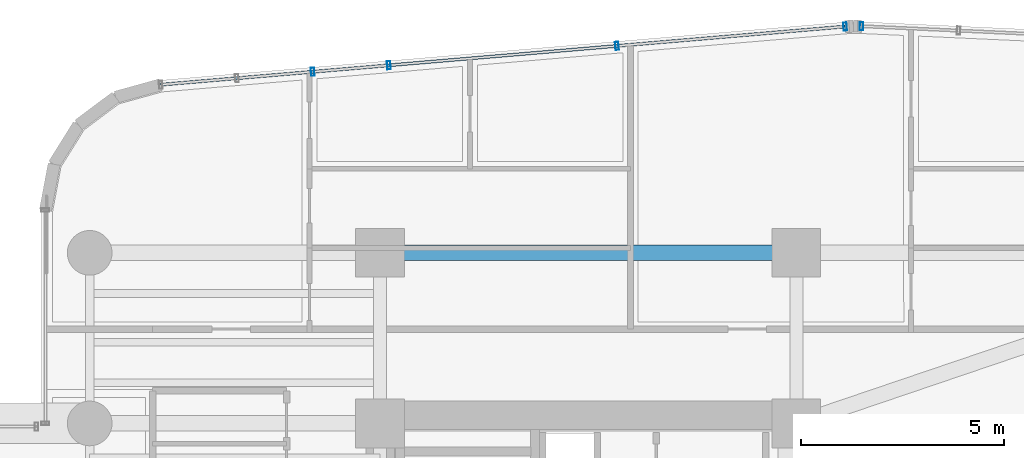
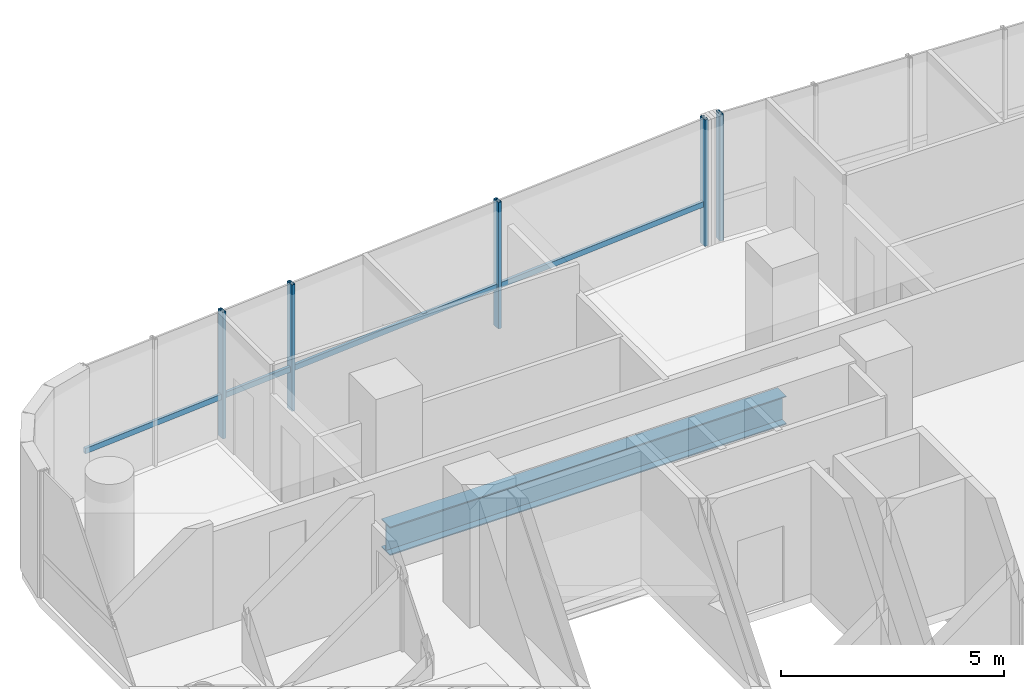
# One storey, part 19 of 35: 6 members, 1 beam, 2 elements without a shape of their own.
"""IFC4 building model written with IfcOpenShell, lengths in metres."""

from ifc_helpers import new_model, si_unit, direction, frame, origin, origin_2d, place, context, subcontext, project, spatial, hollow_rectangle, i_section, extrude, source, transform, mapped, material, material_profile, profile_set, type_object, element, aggregate, save


model = new_model("IFC4")

# Units and contexts
model_context = context("Model", 3, precision=1e-05, world=origin(), true_north=direction((0.0, 1.0)))
body_context = subcontext(model_context, "Body", "Model", "MODEL_VIEW")
ifc_project = project(units=[si_unit("LENGTHUNIT", "METRE"), si_unit("AREAUNIT", "SQUARE_METRE"), si_unit("VOLUMEUNIT", "CUBIC_METRE"), si_unit("PLANEANGLEUNIT", "RADIAN"), si_unit("MASSUNIT", "GRAM", prefix="KILO")], contexts=[model_context])

# Site, building, storey
site_placement = place(None, origin())
site = spatial("IfcSite", under=ifc_project, at=site_placement, CompositionType="ELEMENT")
building_placement = place(site_placement, origin())
building = spatial("IfcBuilding", under=site, at=building_placement, Name="Valdorenza Pilgrim Sanctuary Tower", CompositionType="ELEMENT")
storey_placement = place(building_placement, frame((0.0, 0.0, 105.699951171875)))
storey = spatial("IfcBuildingStorey", under=building, at=storey_placement, Name="L26", CompositionType="ELEMENT", Elevation=105.699951171875)

# Beam
ifc_material_1 = material(Name="Steel ASTM A992 Grade 50", Category="steel")
ifc_material_profile_1 = material_profile(ifc_material_1, i_section(OverallWidth=0.382080078125, OverallDepth=0.779052734375, WebThickness=0.01806640625, FlangeThickness=0.030029296875, at=origin_2d()), Name="W30X191")
ifc_profile_set_1 = profile_set([ifc_material_profile_1], Name="Steel ASTM A992 Grade 50")
beam_type = type_object("IfcBeamType", Name="STR-BM-GRD-W30", PredefinedType="BEAM", material=ifc_profile_set_1)
shared_shape_1 = source(origin(), body_context, "Body", "SweptSolid", [
    extrude(i_section(OverallWidth=0.382080078125, OverallDepth=0.779052734375, WebThickness=0.01806640625, FlangeThickness=0.030029296875, at=origin_2d()), origin(), (0.0, 0.0, 1.0), 10.25),
])
beam_placement = place(storey_placement, frame((-22.64990234375, 14.800048828125, -0.62939453125), z_axis=(1.0, 0.0, 0.0), x_axis=(0.0, 1.0, 0.0)))
element("IfcBeam", 1, at=beam_placement, inside=storey, type_object=beam_type, Name="L26 Floor Girder CA-XC-N2", PredefinedType="BEAM", context=body_context, shape_type="MappedRepresentation", body=[
    mapped(shared_shape_1, transform((0.0, 0.0, 0.0), x_axis=(1.0, 0.0, 0.0), y_axis=(0.0, 1.0, 0.0), z_axis=(0.0, 0.0, 1.0), scale=1.0)),
])

# Curtain wall, members
ifc_material_2 = material(Name="Curtain-wall IGU glazing", Category="glass")
curtain_wall_type = type_object("IfcCurtainWallType", Name="CW-SYS-02", PredefinedType="NOTDEFINED", material=ifc_material_2)
curtain_wall_1_placement = place(storey_placement, origin())
curtain_wall_1 = element("IfcCurtainWall", 2, at=curtain_wall_1_placement, inside=storey, type_object=curtain_wall_type, Name="L26 Curtain Wall CW-L26-1-6", PredefinedType="NOTDEFINED")
ifc_material_3 = material(Name="Anodised aluminium AW-6060", Category="aluminium")
ifc_material_profile_2 = material_profile(ifc_material_3, hollow_rectangle(XDim=0.0849609375, YDim=0.199951171875, WallThickness=0.0048828125, at=origin_2d()), Name="ALU-M 200x85x5")
ifc_profile_set_2 = profile_set([ifc_material_profile_2], Name="Anodised aluminium AW-6060")
member_type_1 = type_object("IfcMemberType", Name="CW-MUL-02", PredefinedType="MULLION", material=ifc_profile_set_2)
shared_shape_2 = source(origin(), body_context, "Body", "SweptSolid", [
    extrude(hollow_rectangle(XDim=0.0849609375, YDim=0.199951171875, WallThickness=0.0048828125, at=origin_2d()), origin(), (0.0, 0.0, 1.0), 3.4599609375),
])
member_1_placement = place(storey_placement, frame((-22.43408203125, 19.417724609375, 0.0), z_axis=(0.0, 0.0, 1.0), x_axis=(0.99640764237, 0.084686541006, 0.0)))
member_1 = element("IfcMember", 3, at=member_1_placement, type_object=member_type_1, Name="CW-L26-1-6 Mullion 2", PredefinedType="MULLION", context=body_context, shape_type="MappedRepresentation", body=[
    mapped(shared_shape_2, transform((0.0, 0.0, 0.0), x_axis=(1.0, 0.0, 0.0), y_axis=(0.0, 1.0, 0.0), z_axis=(0.0, 0.0, 1.0), scale=1.0)),
])
member_2_placement = place(storey_placement, frame((-16.81689453125, 19.895263671875, 0.0), z_axis=(0.0, 0.0, 1.0), x_axis=(0.99640764237, 0.084686541006, 0.0)))
member_2 = element("IfcMember", 4, at=member_2_placement, type_object=member_type_1, Name="CW-L26-1-6 Mullion 3", PredefinedType="MULLION", context=body_context, shape_type="MappedRepresentation", body=[
    mapped(shared_shape_2, transform((0.0, 0.0, 0.0), x_axis=(1.0, 0.0, 0.0), y_axis=(0.0, 1.0, 0.0), z_axis=(0.0, 0.0, 1.0), scale=1.0)),
])
member_3_placement = place(storey_placement, frame((-11.199462890625, 20.37255859375, 0.0), z_axis=(0.0, 0.0, 1.0), x_axis=(0.99640764237, 0.084686541006, 0.0)))
member_3 = element("IfcMember", 5, at=member_3_placement, type_object=member_type_1, Name="CW-L26-1-6 Mullion 4", PredefinedType="MULLION", context=body_context, shape_type="MappedRepresentation", body=[
    mapped(shared_shape_2, transform((0.0, 0.0, 0.0), x_axis=(1.0, 0.0, 0.0), y_axis=(0.0, 1.0, 0.0), z_axis=(0.0, 0.0, 1.0), scale=1.0)),
])

# Curtain wall, member
curtain_wall_2_placement = place(storey_placement, origin())
curtain_wall_2 = element("IfcCurtainWall", 6, at=curtain_wall_2_placement, inside=storey, type_object=curtain_wall_type, Name="L26 Curtain Wall CW-L26-1-11", PredefinedType="NOTDEFINED")
member_4_placement = place(storey_placement, frame((-10.795654296875, 20.380615234375, 0.0), z_axis=(0.0, 0.0, 1.0), x_axis=(0.998968193221, -0.045415294044, 0.0)))
member_4 = element("IfcMember", 7, at=member_4_placement, type_object=member_type_1, Name="CW-L26-1-11 Mullion 1", PredefinedType="MULLION", context=body_context, shape_type="MappedRepresentation", body=[
    mapped(shared_shape_2, transform((0.0, 0.0, 0.0), x_axis=(1.0, 0.0, 0.0), y_axis=(0.0, 1.0, 0.0), z_axis=(0.0, 0.0, 1.0), scale=1.0)),
])
aggregate(curtain_wall_2, [member_4])

# Member
member_5_placement = place(storey_placement, frame((-24.309814453125, 19.25830078125, 0.0), z_axis=(0.0, 0.0, 1.0), x_axis=(0.99640764237, 0.084686541006, 0.0)))
member_5 = element("IfcMember", 8, at=member_5_placement, type_object=member_type_1, Name="CW-L26-1-6 Sub-Mullion 39-2", PredefinedType="MULLION", context=body_context, shape_type="MappedRepresentation", body=[
    mapped(shared_shape_2, transform((0.0, 0.0, 0.0), x_axis=(1.0, 0.0, 0.0), y_axis=(0.0, 1.0, 0.0), z_axis=(0.0, 0.0, 1.0), scale=1.0)),
])

ifc_material_profile_3 = material_profile(ifc_material_3, hollow_rectangle(XDim=0.074951171875, YDim=0.14990234375, WallThickness=0.00390625, at=origin_2d()), Name="ALU-T 150x75x4")
ifc_profile_set_3 = profile_set([ifc_material_profile_3], Name="Anodised aluminium AW-6060")
member_type_2 = type_object("IfcMemberType", Name="CW-TRN-02", PredefinedType="USERDEFINED", material=ifc_profile_set_3)
shared_shape_3 = source(origin(), body_context, "Body", "SweptSolid", [
    extrude(hollow_rectangle(XDim=0.074951171875, YDim=0.14990234375, WallThickness=0.00390625, at=origin_2d()), origin(), (0.0, 0.0, 1.0), 16.912841796875),
])
member_6_placement = place(storey_placement, frame((-28.051513671875, 18.940185546875, 1.1201171875), z_axis=(0.996407213932, 0.084691581783, 0.0), x_axis=(-0.084691581783, 0.996407213932, 0.0)))
member_6 = element("IfcMember", 9, at=member_6_placement, type_object=member_type_2, Name="CW-L26-1-6 Transom 1", ObjectType="TRANSOM", PredefinedType="USERDEFINED", context=body_context, shape_type="MappedRepresentation", body=[
    mapped(shared_shape_3, transform((0.0, 0.0, 0.0), x_axis=(1.0, 0.0, 0.0), y_axis=(0.0, 1.0, 0.0), z_axis=(0.0, 0.0, 1.0), scale=1.0)),
])

aggregate(curtain_wall_1, [member_1, member_2, member_3, member_6, member_5])

save(model, "model.ifc")
